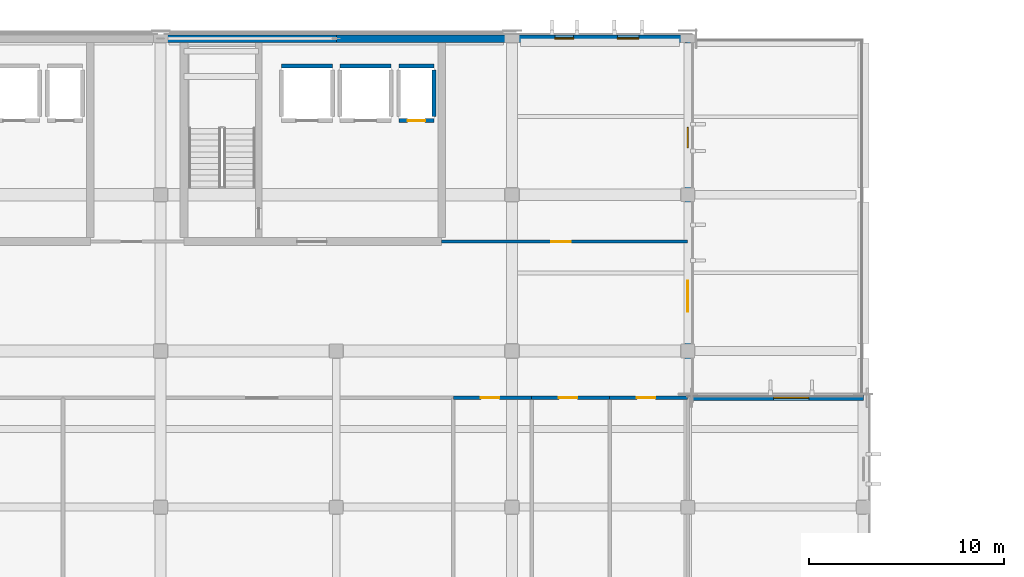
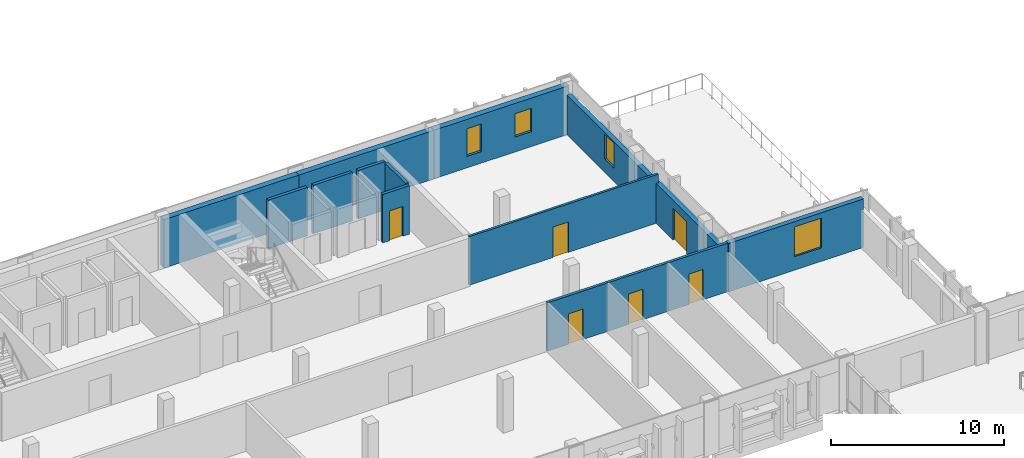
# One storey, part 54 of 73: 14 walls, 6 doors, 4 windows, 10 openings.
"""IFC4 building model written with IfcOpenShell, lengths in metres."""

import ifcopenshell
import ifcopenshell.guid

model = None  # the IFC model being written
_history = None  # IfcOwnerHistory: only IFC2X3 demands one
_inside = {}  # id of a spatial element -> (the spatial element, [elements in it])
_under = {}  # id of a project, library or spatial element -> (it, [spatial elements below it])
_declared = {}  # id of a project -> (the project, [libraries it declares])
_typed = {}  # id of a type object -> (the type object, [elements of that type])
_made_of = {}  # id of a material, layer set ... -> (it, [elements and type objects made of it])


def new_model(schema):
    """Start an empty IFC model of exactly this schema.

    Asked for "IFC4X3", IfcOpenShell would pick the latest addendum, in which some entities
    have other attributes; the version numbers below select the first issue.
    IFC2X3 requires an IfcOwnerHistory on every rooted entity: one is made here for all.
    """
    global model, _history
    if schema == "IFC4X3":
        model = ifcopenshell.file(schema_version=(4, 3, 0, 0))
    else:
        model = ifcopenshell.file(schema=schema)
    _inside.clear()
    _under.clear()
    _declared.clear()
    _typed.clear()
    _made_of.clear()
    _history = None
    if model.schema == "IFC2X3":
        org = make("IfcOrganization", Name="unknown")
        user = make(
            "IfcPersonAndOrganization",
            ThePerson=make("IfcPerson", FamilyName="unknown"),
            TheOrganization=org,
        )
        app = make(
            "IfcApplication",
            ApplicationDeveloper=org,
            Version="unknown",
            ApplicationFullName="unknown",
            ApplicationIdentifier="unknown",
        )
        _history = make(
            "IfcOwnerHistory",
            OwningUser=user,
            OwningApplication=app,
            ChangeAction="ADDED",
            CreationDate=0,
        )
    return model


def make(cls, **values):
    """One entity of the class cls with the attributes given. An attribute that is None is left unset."""
    return model.create_entity(
        cls, **{name: value for name, value in values.items() if value is not None}
    )


def rooted(cls, **values):
    """An entity with a GlobalId (a new one), such as an element, a storey or a relation."""
    return make(cls, GlobalId=ifcopenshell.guid.new(), OwnerHistory=_history, **values)


def si_unit(unit_type, name, prefix=None):
    """IfcSIUnit, for example si_unit("LENGTHUNIT", "METRE", prefix="MILLI")."""
    return make("IfcSIUnit", UnitType=unit_type, Prefix=prefix, Name=name)


def assignment(units):
    """IfcUnitAssignment: the units of a project."""
    return None if units is None else make("IfcUnitAssignment", Units=units)


def point(xyz):
    """IfcCartesianPoint."""
    return None if xyz is None else make("IfcCartesianPoint", Coordinates=xyz)


def direction(xyz):
    """IfcDirection."""
    return None if xyz is None else make("IfcDirection", DirectionRatios=xyz)


def frame(location, z_axis=None, x_axis=None):
    """IfcAxis2Placement3D, a coordinate frame: its origin and axes. An axis left out is left unset."""
    return make(
        "IfcAxis2Placement3D",
        Location=point(location),
        Axis=direction(z_axis),
        RefDirection=direction(x_axis),
    )


def frame_2d(location, x_axis=None):
    """IfcAxis2Placement2D, a coordinate frame in the plane: its origin and x axis."""
    return make(
        "IfcAxis2Placement2D", Location=point(location), RefDirection=direction(x_axis)
    )


def origin():
    """The frame at (0, 0, 0) with its axes left unset."""
    return frame((0.0, 0.0, 0.0))


def place(relative_to, where):
    """IfcLocalPlacement: puts the frame where relative to a parent placement (None: the world)."""
    return make(
        "IfcLocalPlacement", PlacementRelTo=relative_to, RelativePlacement=where
    )


def context(
    kind, dimensions, precision=None, world=None, true_north=None, identifier=None
):
    """IfcGeometricRepresentationContext, for example the 3D "Model" context."""
    return make(
        "IfcGeometricRepresentationContext",
        ContextIdentifier=identifier,
        ContextType=kind,
        CoordinateSpaceDimension=dimensions,
        Precision=precision,
        WorldCoordinateSystem=world,
        TrueNorth=true_north,
    )


def subcontext(parent, identifier, kind, view, scale=None):
    """IfcGeometricRepresentationSubContext, for example "Body" below "Model"."""
    return make(
        "IfcGeometricRepresentationSubContext",
        ContextIdentifier=identifier,
        ContextType=kind,
        ParentContext=parent,
        TargetScale=scale,
        TargetView=view,
    )


def project(units=None, contexts=None):
    """IfcProject with its units and contexts."""
    return rooted(
        "IfcProject",
        Name="project",
        RepresentationContexts=contexts,
        UnitsInContext=assignment(units),
    )


def spatial(cls, under=None, at=None, **own):
    """A site, building, storey or space (cls), placed at a placement, below another one or the project."""
    s = rooted(cls, ObjectPlacement=at, **own)
    if under is not None:
        _under.setdefault(under.id(), (under, []))[1].append(s)
    return s


def profile(cls, at=None, kind="AREA", **sizes):
    """A parametric profile (cls). Its sizes go by their IFC names, for example OverallWidth=200.0."""
    return make(cls, ProfileType=kind, Position=at, **sizes)


def rectangle(**sizes):
    """IfcRectangleProfileDef."""
    return profile("IfcRectangleProfileDef", **sizes)


def extrude(swept, where, along, depth):
    """IfcExtrudedAreaSolid: the profile swept, set in the frame where, extruded along a direction by depth."""
    return make(
        "IfcExtrudedAreaSolid",
        SweptArea=swept,
        Position=where,
        ExtrudedDirection=direction(along),
        Depth=depth,
    )


def shape(context_of_items, identifier, shape_type, items):
    """IfcShapeRepresentation: the items that make up one representation, for example the "Body"."""
    return make(
        "IfcShapeRepresentation",
        ContextOfItems=context_of_items,
        RepresentationIdentifier=identifier,
        RepresentationType=shape_type,
        Items=items,
    )


def material(Name=None, Category=None):
    """IfcMaterial."""
    return make("IfcMaterial", Name=Name, Category=Category)


def layer(
    of_material, thickness, ventilated=None, Name=None, Category=None, Priority=None
):
    """IfcMaterialLayer: one layer of a wall or slab, of a material (None: an air gap)."""
    return make(
        "IfcMaterialLayer",
        Material=of_material,
        LayerThickness=thickness,
        IsVentilated=ventilated,
        Name=Name,
        Category=Category,
        Priority=Priority,
    )


def layer_set(layers, Name=None):
    """IfcMaterialLayerSet."""
    return make("IfcMaterialLayerSet", MaterialLayers=layers, LayerSetName=Name)


def made_of(thing, what):
    """Note that an element or type object is made of a material, layer set ...; save() writes the relation."""
    if what is not None:
        _made_of.setdefault(what.id(), (what, []))[1].append(thing)
    return thing


def type_object(cls, material=None, **own):
    """A type object (cls), such as IfcWallType, which elements share."""
    return made_of(rooted(cls, **own), material)


def element(
    cls,
    number,
    at=None,
    inside=None,
    cuts=None,
    type_object=None,
    material=None,
    context=None,
    identifier="Body",
    shape_type=None,
    held_by="IfcProductDefinitionShape",
    body=None,
    shapes=None,
    **own,
):
    """One element of the class cls, such as IfcWall. Its Tag is "e" and its number.

    at: its placement. inside: the storey or other place that contains it. cuts: it is an
    opening in that element (IfcRelVoidsElement). A single representation is given by context,
    identifier, shape_type and body (its items); several are given by shapes. held_by: the class
    of the entity that holds the representations. save() writes the other relations.
    """
    e = rooted(cls, Tag="e%d" % number, ObjectPlacement=at, **own)
    if body is not None:
        shapes = [shape(context, identifier, shape_type, body)]
    if shapes is not None:
        e.Representation = make(held_by, Representations=shapes)
    if inside is not None:
        _inside.setdefault(inside.id(), (inside, []))[1].append(e)
    if cuts is not None:
        rooted(
            "IfcRelVoidsElement", RelatingBuildingElement=cuts, RelatedOpeningElement=e
        )
    if type_object is not None:
        _typed.setdefault(type_object.id(), (type_object, []))[1].append(e)
    return made_of(e, material)


def fill(opening, filler):
    """IfcRelFillsElement: the door or window that sits in an opening."""
    return rooted(
        "IfcRelFillsElement",
        RelatingOpeningElement=opening,
        RelatedBuildingElement=filler,
    )


def aggregate(whole, parts):
    """IfcRelAggregates: a whole, such as a stair, and the parts it consists of."""
    return rooted("IfcRelAggregates", RelatingObject=whole, RelatedObjects=parts)


def save(model, path):
    """Write the relations noted so far, then the file.

    IfcRelAggregates (storeys below a building ...), IfcRelContainedInSpatialStructure (elements
    in a storey), IfcRelDefinesByType, IfcRelAssociatesMaterial and IfcRelDeclares: one each for
    every whole, place, type object, material and project.
    """
    for whole, parts in _under.values():
        aggregate(whole, parts)
    for where, things in _inside.values():
        rooted(
            "IfcRelContainedInSpatialStructure",
            RelatedElements=things,
            RelatingStructure=where,
        )
    for kind, things in _typed.values():
        rooted("IfcRelDefinesByType", RelatedObjects=things, RelatingType=kind)
    for what, things in _made_of.values():
        rooted("IfcRelAssociatesMaterial", RelatedObjects=things, RelatingMaterial=what)
    for by, libraries in _declared.values():
        rooted("IfcRelDeclares", RelatingContext=by, RelatedDefinitions=libraries)
    model.write(path)


model = new_model("IFC4")

# Units and contexts
model_context = context("Model", 3, precision=1e-05, world=origin(), true_north=direction((0.0, 1.0)))
body_context = subcontext(model_context, "Body", "Model", "MODEL_VIEW")
ifc_project = project(units=[si_unit("LENGTHUNIT", "METRE"), si_unit("AREAUNIT", "SQUARE_METRE"), si_unit("VOLUMEUNIT", "CUBIC_METRE"), si_unit("PLANEANGLEUNIT", "RADIAN"), si_unit("MASSUNIT", "GRAM", prefix="KILO")], contexts=[model_context])

# Site, building, storey
site_placement = place(None, origin())
site = spatial("IfcSite", under=ifc_project, at=site_placement, CompositionType="ELEMENT")
building_placement = place(site_placement, origin())
building = spatial("IfcBuilding", under=site, at=building_placement, Name="Vervanel Yard Central Library", CompositionType="ELEMENT")
storey_placement = place(building_placement, frame((0.0, 0.0, 12.780029296875)))
storey = spatial("IfcBuildingStorey", under=building, at=storey_placement, Name="L03", CompositionType="ELEMENT", Elevation=12.780029296875)

# Wall, opening, window
ifc_material_1 = material(Name="Precast concrete C45/55", Category="concrete")
ifc_layer_1 = layer(ifc_material_1, 0.300048828125, Category="concrete")
ifc_layer_set_1 = layer_set([ifc_layer_1], Name="Precast concrete C45/55")
wall_type_1 = type_object("IfcWallType", Name="Bush-Hammered Precast Cladding Wall 300", PredefinedType="SOLIDWALL", material=ifc_layer_set_1)
wall_1_placement = place(storey_placement, frame((99.0, 95.60009765625, 0.0), z_axis=(0.0, 0.0, 1.0), x_axis=(-1.0, 0.0, 0.0)))
wall_1 = element("IfcWall", 1, at=wall_1_placement, inside=storey, type_object=wall_type_1, Name="L03 Bush-Hammered Precast Cladding Wall 300 EWALL-L03-0058", PredefinedType="SOLIDWALL", context=body_context, shape_type="SweptSolid", body=[
    extrude(rectangle(XDim=9.0, YDim=0.300048828125, at=frame_2d((4.5, 0.0))), origin(), (0.0, 0.0, 1.0), 3.419921875),
])
opening_1_placement = place(wall_1_placement, frame((2.800048828125, 0.0, 0.949951171875)))
opening_1 = element("IfcOpeningElement", 2, at=opening_1_placement, cuts=wall_1, Name="Opening WN-03", PredefinedType="OPENING", context=body_context, shape_type="SweptSolid", body=[
    extrude(rectangle(XDim=1.800048828125, YDim=2.10009765625, at=frame_2d((0.89990234375, 1.050048828125))), frame((0.0, 0.159912109375, 0.0), z_axis=(0.0, -1.0, 0.0), x_axis=(1.0, 0.0, 0.0)), (0.0, 0.0, 1.0), 0.320068359375),
])
ifc_material_2 = material(Name="Double low-E laminated solar-control glass", Category="glass")
window_type_1 = type_object("IfcWindowType", Name="Reading Wide Window 1800x2100", PartitioningType="SINGLE_PANEL", PredefinedType="WINDOW", material=ifc_material_2)
window_1_placement = place(opening_1_placement, origin())
window_1 = element("IfcWindow", 3, at=window_1_placement, inside=storey, type_object=window_type_1, Name="L03 Reading Wide Window 1800x2100 83", OverallHeight=2.10009765625, OverallWidth=1.800048828125, PartitioningType="SINGLE_PANEL", PredefinedType="WINDOW", context=body_context, shape_type="SweptSolid", body=[
    extrude(rectangle(XDim=1.800048828125, YDim=2.10009765625, at=frame_2d((0.89990234375, 1.050048828125))), frame((0.0, 0.030029296875, 0.0), z_axis=(0.0, -1.0, 0.0), x_axis=(1.0, 0.0, 0.0)), (0.0, 0.0, 1.0), 0.06005859375),
])
fill(opening_1, window_1)

# Wall, openings, door, window
wall_2_placement = place(storey_placement, frame((90.0, 95.60009765625, 0.0), z_axis=(0.0, 0.0, 1.0), x_axis=(0.0, 1.0, 0.0)))
wall_2 = element("IfcWall", 4, at=wall_2_placement, inside=storey, type_object=wall_type_1, Name="L03 Bush-Hammered Precast Cladding Wall 300 EWALL-L03-0059", PredefinedType="SOLIDWALL", context=body_context, shape_type="SweptSolid", body=[
    extrude(rectangle(XDim=18.39990234375, YDim=0.300048828125, at=frame_2d((9.199951171875, 0.0))), origin(), (0.0, 0.0, 1.0), 2.804931640625),
])
opening_2_placement = place(wall_2_placement, frame((4.39990234375, 0.0, 0.0)))
opening_2 = element("IfcOpeningElement", 5, at=opening_2_placement, cuts=wall_2, Name="Opening DR-T01", PredefinedType="OPENING", context=body_context, shape_type="SweptSolid", body=[
    extrude(rectangle(XDim=1.60009765625, YDim=2.25, at=frame_2d((0.800048828125, 1.125))), frame((0.0, 0.159912109375, 0.0), z_axis=(0.0, -1.0, 0.0), x_axis=(1.0, 0.0, 0.0)), (0.0, 0.0, 1.0), 0.320068359375),
])
opening_3_placement = place(wall_2_placement, frame((12.800048828125, 0.0, 0.93505859375)))
opening_3 = element("IfcOpeningElement", 6, at=opening_3_placement, cuts=wall_2, Name="Opening WN-16", PredefinedType="OPENING", context=body_context, shape_type="SweptSolid", body=[
    extrude(rectangle(XDim=1.050048828125, YDim=1.75, at=frame_2d((0.52490234375, 0.875))), frame((0.0, 0.159912109375, 0.0), z_axis=(0.0, -1.0, 0.0), x_axis=(1.0, 0.0, 0.0)), (0.0, 0.0, 1.0), 0.320068359375),
])
ifc_material_3 = material(Name="Thermally broken anodized aluminium 6063-T6", Category="aluminium")
door_type_1 = type_object("IfcDoorType", Name="Roof Garden Terrace Double Door 1600x2250", OperationType="NOTDEFINED", PredefinedType="DOOR", material=ifc_material_3)
door_1_placement = place(opening_2_placement, frame((1.60009765625, 0.0, 0.0), z_axis=(0.0, 0.0, 1.0), x_axis=(-1.0, 0.0, 0.0)))
door_1 = element("IfcDoor", 7, at=door_1_placement, inside=storey, type_object=door_type_1, Name="L03 Roof Garden Terrace Double Door 1600x2250 11", OperationType="DOUBLE_DOOR_SINGLE_SWING", OverallHeight=2.25, OverallWidth=1.60009765625, PredefinedType="DOOR", context=body_context, shape_type="SweptSolid", body=[
    extrude(rectangle(XDim=1.60009765625, YDim=2.25, at=frame_2d((0.800048828125, 1.125))), frame((0.0, 0.02490234375, 0.0), z_axis=(0.0, -1.0, 0.0), x_axis=(1.0, 0.0, 0.0)), (0.0, 0.0, 1.0), 0.050048828125),
])
fill(opening_2, door_1)
window_type_2 = type_object("IfcWindowType", Name="Study Carrel Punch Window 1050x1750", PartitioningType="SINGLE_PANEL", PredefinedType="WINDOW", material=ifc_material_2)
window_2_placement = place(opening_3_placement, origin())
window_2 = element("IfcWindow", 8, at=window_2_placement, inside=storey, type_object=window_type_2, Name="L03 Study Carrel Punch Window 1050x1750 85", OverallHeight=1.75, OverallWidth=1.050048828125, PartitioningType="SINGLE_PANEL", PredefinedType="WINDOW", context=body_context, shape_type="SweptSolid", body=[
    extrude(rectangle(XDim=1.050048828125, YDim=1.75, at=frame_2d((0.52490234375, 0.875))), frame((0.0, 0.030029296875, 0.0), z_axis=(0.0, -1.0, 0.0), x_axis=(1.0, 0.0, 0.0)), (0.0, 0.0, 1.0), 0.06005859375),
])
fill(opening_3, window_2)

# Walls
ifc_material_4 = material(Name="Concrete C45/55", Category="concrete")
ifc_layer_2 = layer(ifc_material_4, 0.3798828125, Category="concrete")
ifc_layer_set_2 = layer_set([ifc_layer_2], Name="Concrete C45/55")
wall_type_2 = type_object("IfcWallType", Name="Exterior Bearing Concrete Spine Wall 380", PredefinedType="SOLIDWALL", material=ifc_layer_set_2)
for number, where, z_axis, x_axis, name in (
    (9, (63.0, 114.0, 0.0), (0.0, 0.0, 1.0), (1.0, 0.0, 0.0), "L03 Exterior Bearing Concrete Spine Wall 380 EWALL-L03-0047"),
    (10, (72.0, 114.0, 0.0), (0.0, 0.0, 1.0), (1.0, 0.0, 0.0), "L03 Exterior Bearing Concrete Spine Wall 380 EWALL-L03-0048"),
):
    element("IfcWall", number, at=place(storey_placement, frame(where, z_axis=z_axis, x_axis=x_axis)), inside=storey, type_object=wall_type_2, Name=name, PredefinedType="SOLIDWALL", context=body_context, shape_type="SweptSolid", body=[
        extrude(rectangle(XDim=9.0, YDim=0.3798828125, at=frame_2d((4.5, 0.0))), origin(), (0.0, 0.0, 1.0), 3.419921875),
    ])

# Wall, openings, windows
wall_3_placement = place(storey_placement, frame((81.0, 114.0, 0.0), z_axis=(0.0, 0.0, 1.0), x_axis=(1.0, 0.0, 0.0)))
wall_3 = element("IfcWall", 11, at=wall_3_placement, inside=storey, type_object=wall_type_2, Name="L03 Exterior Bearing Concrete Spine Wall 380 EWALL-L03-0049", PredefinedType="SOLIDWALL", context=body_context, shape_type="SweptSolid", body=[
    extrude(rectangle(XDim=9.0, YDim=0.3798828125, at=frame_2d((4.5, 0.0))), origin(), (0.0, 0.0, 1.0), 3.419921875),
])
opening_4_placement = place(wall_3_placement, frame((2.199951171875, 0.0, 0.81494140625)))
opening_4 = element("IfcOpeningElement", 12, at=opening_4_placement, cuts=wall_3, Name="Opening WN-22", PredefinedType="OPENING", context=body_context, shape_type="SweptSolid", body=[
    extrude(rectangle(XDim=0.9599609375, YDim=1.949951171875, at=frame_2d((0.47998046875, 0.97509765625))), frame((0.0, 0.199951171875, 0.0), z_axis=(0.0, -1.0, 0.0), x_axis=(1.0, 0.0, 0.0)), (0.0, 0.0, 1.0), 0.39990234375),
])
opening_5_placement = place(wall_3_placement, frame((5.39990234375, 0.0, 1.050048828125)))
opening_5 = element("IfcOpeningElement", 13, at=opening_5_placement, cuts=wall_3, Name="Opening WN-28", PredefinedType="OPENING", context=body_context, shape_type="SweptSolid", body=[
    extrude(rectangle(XDim=1.10009765625, YDim=1.64990234375, at=frame_2d((0.550048828125, 0.824951171875))), frame((0.0, 0.199951171875, 0.0), z_axis=(0.0, -1.0, 0.0), x_axis=(1.0, 0.0, 0.0)), (0.0, 0.0, 1.0), 0.39990234375),
])
window_type_3 = type_object("IfcWindowType", Name="Stack Upper Window 960x1950", PartitioningType="SINGLE_PANEL", PredefinedType="WINDOW", material=ifc_material_2)
window_3_placement = place(opening_4_placement, origin())
window_3 = element("IfcWindow", 14, at=window_3_placement, inside=storey, type_object=window_type_3, Name="L03 Stack Upper Window 960x1950 64", OverallHeight=1.949951171875, OverallWidth=0.9599609375, PartitioningType="SINGLE_PANEL", PredefinedType="WINDOW", context=body_context, shape_type="SweptSolid", body=[
    extrude(rectangle(XDim=0.9599609375, YDim=1.949951171875, at=frame_2d((0.47998046875, 0.97509765625))), frame((0.0, 0.030029296875, 0.0), z_axis=(0.0, -1.0, 0.0), x_axis=(1.0, 0.0, 0.0)), (0.0, 0.0, 1.0), 0.06005859375),
])
fill(opening_4, window_3)
window_type_4 = type_object("IfcWindowType", Name="Vault Vestibule Window 1100x1650", PartitioningType="SINGLE_PANEL", PredefinedType="WINDOW", material=ifc_material_2)
window_4_placement = place(opening_5_placement, origin())
window_4 = element("IfcWindow", 15, at=window_4_placement, inside=storey, type_object=window_type_4, Name="L03 Vault Vestibule Window 1100x1650 65", OverallHeight=1.64990234375, OverallWidth=1.10009765625, PartitioningType="SINGLE_PANEL", PredefinedType="WINDOW", context=body_context, shape_type="SweptSolid", body=[
    extrude(rectangle(XDim=1.10009765625, YDim=1.64990234375, at=frame_2d((0.550048828125, 0.824951171875))), frame((0.0, 0.030029296875, 0.0), z_axis=(0.0, -1.0, 0.0), x_axis=(1.0, 0.0, 0.0)), (0.0, 0.0, 1.0), 0.06005859375),
])
fill(opening_5, window_4)

# Wall, opening, door
ifc_material_5 = material(Name="Fire-rated gypsum board on steel studs", Category="steel")
ifc_layer_3 = layer(ifc_material_5, 0.14990234375, Category="steel")
ifc_layer_set_3 = layer_set([ifc_layer_3], Name="Fire-rated gypsum board on steel studs")
wall_type_3 = type_object("IfcWallType", Name="Interior Partition 150", PredefinedType="PARTITIONING", material=ifc_layer_set_3)
wall_4_placement = place(storey_placement, frame((77.39990234375, 103.60009765625, 0.0), z_axis=(0.0, 0.0, 1.0), x_axis=(1.0, 0.0, 0.0)))
wall_4 = element("IfcWall", 16, at=wall_4_placement, inside=storey, type_object=wall_type_3, Name="L03 Interior Partition 150 IPART-L03-0103", PredefinedType="PARTITIONING", context=body_context, shape_type="SweptSolid", body=[
    extrude(rectangle(XDim=12.60009765625, YDim=0.14990234375, at=frame_2d((6.300048828125, 0.0))), origin(), (0.0, 0.0, 1.0), 3.419921875),
])
opening_6_placement = place(wall_4_placement, frame((5.60009765625, 0.0, 0.0)))
opening_6 = element("IfcOpeningElement", 17, at=opening_6_placement, cuts=wall_4, Name="Opening DR-01", PredefinedType="OPENING", context=body_context, shape_type="SweptSolid", body=[
    extrude(rectangle(XDim=1.0, YDim=2.14990234375, at=frame_2d((0.5, 1.074951171875))), frame((0.0, 0.0849609375, 0.0), z_axis=(0.0, -1.0, 0.0), x_axis=(1.0, 0.0, 0.0)), (0.0, 0.0, 1.0), 0.169921875),
])
ifc_material_6 = material(Name="Solid white oak acoustic joinery", Category="wood")
door_type_2 = type_object("IfcDoorType", Name="Interior Single Door 1000x2150", OperationType="NOTDEFINED", PredefinedType="DOOR", material=ifc_material_6)
door_2_placement = place(opening_6_placement, origin())
door_2 = element("IfcDoor", 18, at=door_2_placement, inside=storey, type_object=door_type_2, Name="L03 Interior Single Door 1000x2150 IDOOR-L03-0080", OperationType="SINGLE_SWING_LEFT", OverallHeight=2.14990234375, OverallWidth=1.0, PredefinedType="DOOR", context=body_context, shape_type="SweptSolid", body=[
    extrude(rectangle(XDim=1.0, YDim=2.14990234375, at=frame_2d((0.5, 1.074951171875))), frame((0.0, 0.02490234375, 0.0), z_axis=(0.0, -1.0, 0.0), x_axis=(1.0, 0.0, 0.0)), (0.0, 0.0, 1.0), 0.050048828125),
])
fill(opening_6, door_2)

ifc_layer_4 = layer(ifc_material_5, 0.179931640625, Category="steel")
ifc_layer_set_4 = layer_set([ifc_layer_4], Name="Fire-rated gypsum board on steel studs")
wall_type_4 = type_object("IfcWallType", Name="Plumbing Chase Wall 180", PredefinedType="PLUMBINGWALL", material=ifc_layer_set_4)
wall_5_placement = place(storey_placement, frame((78.0, 95.60009765625, 0.0), z_axis=(0.0, 0.0, 1.0), x_axis=(1.0, 0.0, 0.0)))
wall_5 = element("IfcWall", 19, at=wall_5_placement, inside=storey, type_object=wall_type_4, Name="L03 Plumbing Chase Wall 180 IPART-L03-0095", PredefinedType="PLUMBINGWALL", context=body_context, shape_type="SweptSolid", body=[
    extrude(rectangle(XDim=4.0, YDim=0.179931640625, at=frame_2d((2.0, 0.0))), origin(), (0.0, 0.0, 1.0), 3.419921875),
])
opening_7_placement = place(wall_5_placement, frame((1.39990234375, 0.0, 0.0)))
opening_7 = element("IfcOpeningElement", 20, at=opening_7_placement, cuts=wall_5, Name="Opening DR-02", PredefinedType="OPENING", context=body_context, shape_type="SweptSolid", body=[
    extrude(rectangle(XDim=0.949951171875, YDim=2.14990234375, at=frame_2d((0.47509765625, 1.074951171875))), frame((0.0, 0.099853515625, 0.0), z_axis=(0.0, -1.0, 0.0), x_axis=(1.0, 0.0, 0.0)), (0.0, 0.0, 1.0), 0.199951171875),
])
door_type_3 = type_object("IfcDoorType", Name="Interior Accessible Restroom Door 950x2150", OperationType="NOTDEFINED", PredefinedType="DOOR", material=ifc_material_6)
door_3_placement = place(opening_7_placement, origin())
door_3 = element("IfcDoor", 21, at=door_3_placement, inside=storey, type_object=door_type_3, Name="L03 Interior Accessible Restroom Door 950x2150 IDOOR-L03-0075", OperationType="SINGLE_SWING_RIGHT", OverallHeight=2.14990234375, OverallWidth=0.949951171875, PredefinedType="DOOR", context=body_context, shape_type="SweptSolid", body=[
    extrude(rectangle(XDim=0.949951171875, YDim=2.14990234375, at=frame_2d((0.47509765625, 1.074951171875))), frame((0.0, 0.02490234375, 0.0), z_axis=(0.0, -1.0, 0.0), x_axis=(1.0, 0.0, 0.0)), (0.0, 0.0, 1.0), 0.050048828125),
])
fill(opening_7, door_3)

wall_6_placement = place(storey_placement, frame((82.0, 95.60009765625, 0.0), z_axis=(0.0, 0.0, 1.0), x_axis=(1.0, 0.0, 0.0)))
wall_6 = element("IfcWall", 22, at=wall_6_placement, inside=storey, type_object=wall_type_4, Name="L03 Plumbing Chase Wall 180 IPART-L03-0097", PredefinedType="PLUMBINGWALL", context=body_context, shape_type="SweptSolid", body=[
    extrude(rectangle(XDim=4.0, YDim=0.179931640625, at=frame_2d((2.0, 0.0))), origin(), (0.0, 0.0, 1.0), 3.419921875),
])
opening_8_placement = place(wall_6_placement, frame((1.39990234375, 0.0, 0.0)))
opening_8 = element("IfcOpeningElement", 23, at=opening_8_placement, cuts=wall_6, Name="Opening DR-02", PredefinedType="OPENING", context=body_context, shape_type="SweptSolid", body=[
    extrude(rectangle(XDim=0.949951171875, YDim=2.14990234375, at=frame_2d((0.47509765625, 1.074951171875))), frame((0.0, 0.099853515625, 0.0), z_axis=(0.0, -1.0, 0.0), x_axis=(1.0, 0.0, 0.0)), (0.0, 0.0, 1.0), 0.199951171875),
])
door_4_placement = place(opening_8_placement, origin())
door_4 = element("IfcDoor", 24, at=door_4_placement, inside=storey, type_object=door_type_3, Name="L03 Interior Accessible Restroom Door 950x2150 IDOOR-L03-0076", OperationType="SINGLE_SWING_LEFT", OverallHeight=2.14990234375, OverallWidth=0.949951171875, PredefinedType="DOOR", context=body_context, shape_type="SweptSolid", body=[
    extrude(rectangle(XDim=0.949951171875, YDim=2.14990234375, at=frame_2d((0.47509765625, 1.074951171875))), frame((0.0, 0.02490234375, 0.0), z_axis=(0.0, -1.0, 0.0), x_axis=(1.0, 0.0, 0.0)), (0.0, 0.0, 1.0), 0.050048828125),
])
fill(opening_8, door_4)

wall_7_placement = place(storey_placement, frame((86.0, 95.60009765625, 0.0), z_axis=(0.0, 0.0, 1.0), x_axis=(1.0, 0.0, 0.0)))
wall_7 = element("IfcWall", 25, at=wall_7_placement, inside=storey, type_object=wall_type_4, Name="L03 Plumbing Chase Wall 180 IPART-L03-0099", PredefinedType="PLUMBINGWALL", context=body_context, shape_type="SweptSolid", body=[
    extrude(rectangle(XDim=4.0, YDim=0.179931640625, at=frame_2d((2.0, 0.0))), origin(), (0.0, 0.0, 1.0), 3.419921875),
])
opening_9_placement = place(wall_7_placement, frame((1.39990234375, 0.0, 0.0)))
opening_9 = element("IfcOpeningElement", 26, at=opening_9_placement, cuts=wall_7, Name="Opening DR-02", PredefinedType="OPENING", context=body_context, shape_type="SweptSolid", body=[
    extrude(rectangle(XDim=0.949951171875, YDim=2.14990234375, at=frame_2d((0.47509765625, 1.074951171875))), frame((0.0, 0.099853515625, 0.0), z_axis=(0.0, -1.0, 0.0), x_axis=(1.0, 0.0, 0.0)), (0.0, 0.0, 1.0), 0.199951171875),
])
door_5_placement = place(opening_9_placement, origin())
door_5 = element("IfcDoor", 27, at=door_5_placement, inside=storey, type_object=door_type_3, Name="L03 Interior Accessible Restroom Door 950x2150 IDOOR-L03-0077", OperationType="SINGLE_SWING_RIGHT", OverallHeight=2.14990234375, OverallWidth=0.949951171875, PredefinedType="DOOR", context=body_context, shape_type="SweptSolid", body=[
    extrude(rectangle(XDim=0.949951171875, YDim=2.14990234375, at=frame_2d((0.47509765625, 1.074951171875))), frame((0.0, 0.02490234375, 0.0), z_axis=(0.0, -1.0, 0.0), x_axis=(1.0, 0.0, 0.0)), (0.0, 0.0, 1.0), 0.050048828125),
])
fill(opening_9, door_5)

# Walls
ifc_material_7 = material(Name="Concrete C40/50", Category="concrete")
ifc_layer_5 = layer(ifc_material_7, 0.199951171875, Category="concrete")
ifc_layer_set_5 = layer_set([ifc_layer_5], Name="Concrete C40/50")
wall_type_5 = type_object("IfcWallType", Name="Shaft & Plant Rated Wall 200", PredefinedType="PARTITIONING", material=ifc_layer_set_5)
for number, where, z_axis, x_axis, name in (
    (28, (69.199951171875, 112.60009765625, 0.0), (0.0, 0.0, 1.0), (1.0, 0.0, 0.0), "L03 CORE-B-L03-EL-03 Shaft Wall N"),
    (29, (72.199951171875, 112.60009765625, 0.0), (0.0, 0.0, 1.0), (1.0, 0.0, 0.0), "L03 CORE-B-L03-EL-04 Shaft Wall N"),
):
    element("IfcWall", number, at=place(storey_placement, frame(where, z_axis=z_axis, x_axis=x_axis)), inside=storey, type_object=wall_type_5, Name=name, PredefinedType="PARTITIONING", context=body_context, shape_type="SweptSolid", body=[
        extrude(rectangle(XDim=2.60009765625, YDim=0.199951171875, at=frame_2d((1.300048828125, 0.0))), origin(), (0.0, 0.0, 1.0), 3.419921875),
    ])

# Wall, opening, door
wall_8_placement = place(storey_placement, frame((75.199951171875, 109.800048828125, 0.0), z_axis=(0.0, 0.0, 1.0), x_axis=(1.0, 0.0, 0.0)))
wall_8 = element("IfcWall", 30, at=wall_8_placement, inside=storey, type_object=wall_type_5, Name="L03 CORE-B-L03-RIS Shaft Wall S", PredefinedType="PARTITIONING", context=body_context, shape_type="SweptSolid", body=[
    extrude(rectangle(XDim=1.800048828125, YDim=0.199951171875, at=frame_2d((0.89990234375, 0.0))), origin(), (0.0, 0.0, 1.0), 3.419921875),
])
opening_10_placement = place(wall_8_placement, frame((0.449951171875, 0.0, 0.0)))
opening_10 = element("IfcOpeningElement", 31, at=opening_10_placement, cuts=wall_8, Name="Opening DR-03", PredefinedType="OPENING", context=body_context, shape_type="SweptSolid", body=[
    extrude(rectangle(XDim=0.89990234375, YDim=2.10009765625, at=frame_2d((0.449951171875, 1.050048828125))), frame((0.0, 0.10986328125, 0.0), z_axis=(0.0, -1.0, 0.0), x_axis=(1.0, 0.0, 0.0)), (0.0, 0.0, 1.0), 0.219970703125),
])
ifc_material_8 = material(Name="Galvanized painted steelwork ASTM A500 Grade C", Category="steel")
door_type_4 = type_object("IfcDoorType", Name="Interior Riser Access Door 900x2100", OperationType="NOTDEFINED", PredefinedType="DOOR", material=ifc_material_8)
door_6_placement = place(opening_10_placement, origin())
door_6 = element("IfcDoor", 32, at=door_6_placement, inside=storey, type_object=door_type_4, Name="L03 CORE-B Riser Access Door", OperationType="SINGLE_SWING_RIGHT", OverallHeight=2.10009765625, OverallWidth=0.89990234375, PredefinedType="DOOR", context=body_context, shape_type="SweptSolid", body=[
    extrude(rectangle(XDim=0.89990234375, YDim=2.10009765625, at=frame_2d((0.449951171875, 1.050048828125))), frame((0.0, 0.02490234375, 0.0), z_axis=(0.0, -1.0, 0.0), x_axis=(1.0, 0.0, 0.0)), (0.0, 0.0, 1.0), 0.050048828125),
])
fill(opening_10, door_6)

# Walls
wall_9_placement = place(storey_placement, frame((75.199951171875, 112.60009765625, 0.0), z_axis=(0.0, 0.0, 1.0), x_axis=(1.0, 0.0, 0.0)))
element("IfcWall", 33, at=wall_9_placement, inside=storey, type_object=wall_type_5, Name="L03 CORE-B-L03-RIS Shaft Wall N", PredefinedType="PARTITIONING", context=body_context, shape_type="SweptSolid", body=[
    extrude(rectangle(XDim=1.800048828125, YDim=0.199951171875, at=frame_2d((0.89990234375, 0.0))), origin(), (0.0, 0.0, 1.0), 3.419921875),
])
wall_10_placement = place(storey_placement, frame((77.0, 110.0, 0.0), z_axis=(0.0, 0.0, 1.0), x_axis=(0.0, 1.0, 0.0)))
element("IfcWall", 34, at=wall_10_placement, inside=storey, type_object=wall_type_5, Name="L03 CORE-B-L03-RIS Shaft Wall E", PredefinedType="PARTITIONING", context=body_context, shape_type="SweptSolid", body=[
    extrude(rectangle(XDim=2.39990234375, YDim=0.199951171875, at=frame_2d((1.199951171875, 0.0))), origin(), (0.0, 0.0, 1.0), 3.419921875),
])

save(model, "model.ifc")
